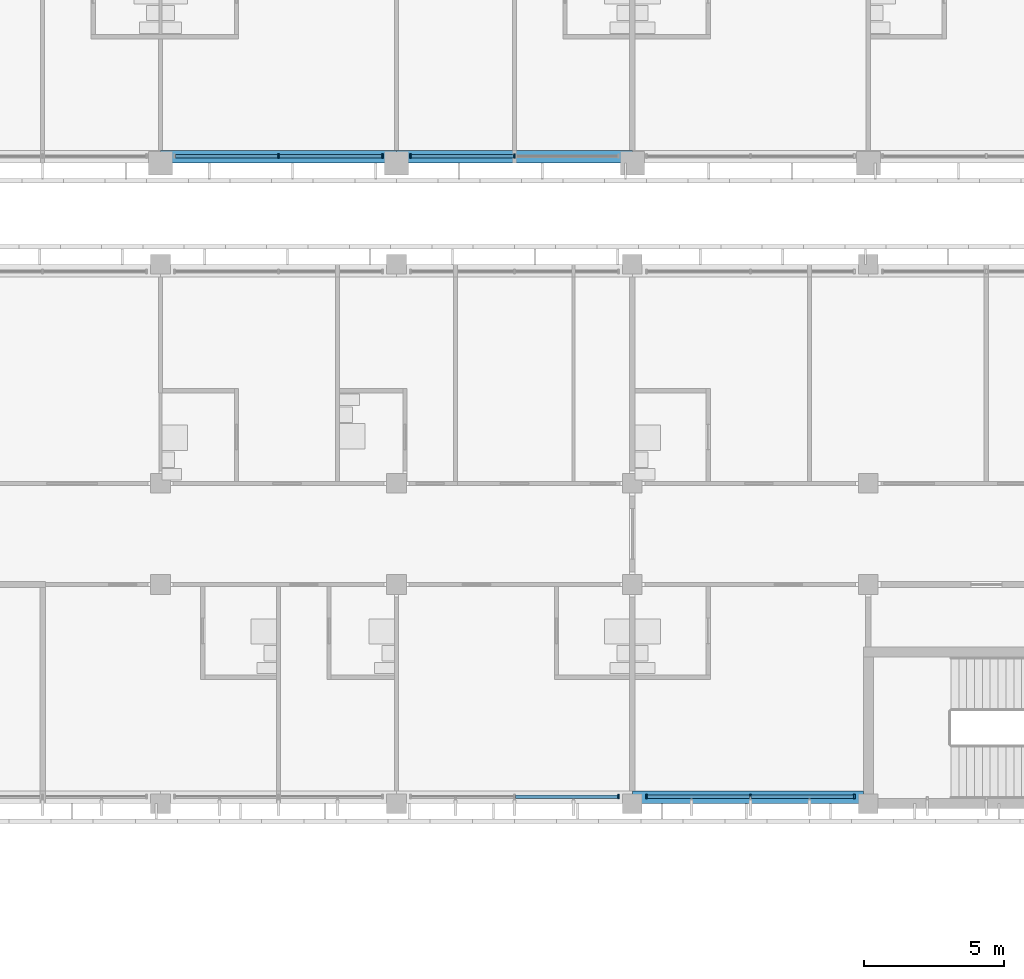
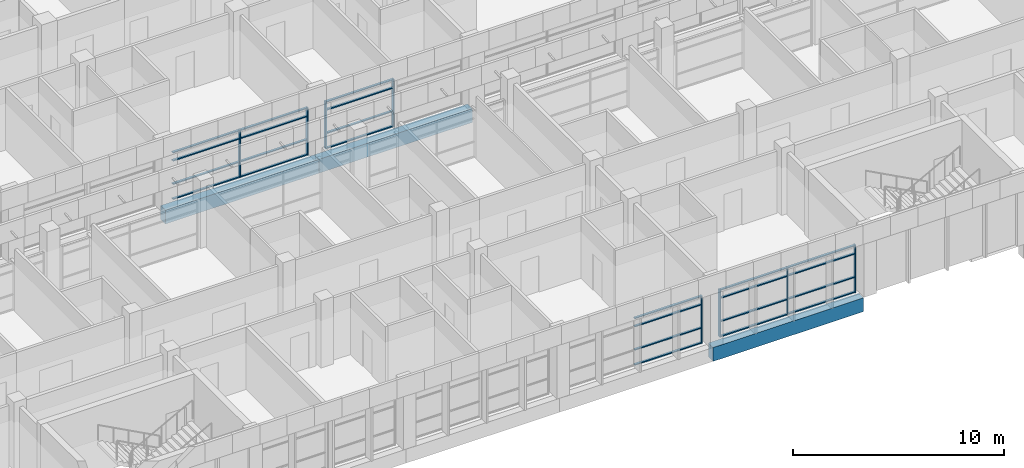
# One storey, part 7 of 74: 32 members, 3 beams, 4 elements without a shape of their own.
"""IFC4 building model written with IfcOpenShell, lengths in metres."""

from ifc_helpers import new_model, si_unit, direction, frame, origin, origin_2d, place, context, subcontext, project, spatial, rectangle, extrude, material, material_profile, profile_set, type_object, element, aggregate, save


model = new_model("IFC4")

# Units and contexts
model_context = context("Model", 3, precision=1e-05, world=origin(), true_north=direction((0.0, 1.0)))
body_context = subcontext(model_context, "Body", "Model", "MODEL_VIEW")
ifc_project = project(units=[si_unit("LENGTHUNIT", "METRE"), si_unit("AREAUNIT", "SQUARE_METRE"), si_unit("VOLUMEUNIT", "CUBIC_METRE"), si_unit("PLANEANGLEUNIT", "RADIAN"), si_unit("MASSUNIT", "GRAM", prefix="KILO")], contexts=[model_context])

# Site, building, storey
site_placement = place(None, origin())
site = spatial("IfcSite", under=ifc_project, at=site_placement, CompositionType="ELEMENT")
building_placement = place(site_placement, origin())
building = spatial("IfcBuilding", under=site, at=building_placement, Name="Bougainvillea Quay General Hospital", CompositionType="ELEMENT")
storey_placement = place(building_placement, frame((0.0, 0.0, 21.0)))
storey = spatial("IfcBuildingStorey", under=building, at=storey_placement, Name="L04", CompositionType="ELEMENT", Elevation=21.0)

# Curtain wall, members
ifc_material_1 = material(Name="Aluminium curtain wall system, powder-coated glazed", Category="aluminium")
curtain_wall_type = type_object("IfcCurtainWallType", Name="Unitised curtain wall CW-3730", PredefinedType="NOTDEFINED", material=ifc_material_1)
curtain_wall_1_placement = place(storey_placement, origin())
curtain_wall_1 = element("IfcCurtainWall", 1, at=curtain_wall_1_placement, inside=storey, type_object=curtain_wall_type, Name="CW-4200 02", PredefinedType="NOTDEFINED")
ifc_material_2 = material(Name="Aluminium mullion, powder-coated charcoal", Category="aluminium")
ifc_material_profile_1 = material_profile(ifc_material_2, rectangle(XDim=0.159912109375, YDim=0.06005859375, at=origin_2d()))
ifc_profile_set_1 = profile_set([ifc_material_profile_1], Name="Aluminium mullion, powder-coated charcoal")
member_type_1 = type_object("IfcMemberType", Name="Curtain wall mullion 160x60", PredefinedType="MULLION", material=ifc_profile_set_1)
member_1_placement = place(storey_placement, frame((96.60009765625, 140.64990234375, 0.0), z_axis=(0.0, 0.0, 1.0), x_axis=(0.0, 1.0, 0.0)))
member_1 = element("IfcMember", 2, at=member_1_placement, type_object=member_type_1, Name="CW-4200 mullion 2", PredefinedType="MULLION", context=body_context, shape_type="SweptSolid", body=[
    extrude(rectangle(XDim=0.159912109375, YDim=0.06005859375, at=origin_2d()), origin(), (0.0, 0.0, 1.0), 2.75),
])
member_2_placement = place(storey_placement, frame((100.300048828125, 140.64990234375, 0.0), z_axis=(0.0, 0.0, 1.0), x_axis=(0.0, 1.0, 0.0)))
member_2 = element("IfcMember", 3, at=member_2_placement, type_object=member_type_1, Name="CW-4200 mullion 3", PredefinedType="MULLION", context=body_context, shape_type="SweptSolid", body=[
    extrude(rectangle(XDim=0.159912109375, YDim=0.06005859375, at=origin_2d()), origin(), (0.0, 0.0, 1.0), 2.75),
])

curtain_wall_2_placement = place(storey_placement, origin())
curtain_wall_2 = element("IfcCurtainWall", 4, at=curtain_wall_2_placement, inside=storey, type_object=curtain_wall_type, Name="CW-4200 03", PredefinedType="NOTDEFINED")
member_3_placement = place(storey_placement, frame((101.300048828125, 140.64990234375, 0.0), z_axis=(0.0, 0.0, 1.0), x_axis=(0.0, 1.0, 0.0)))
member_3 = element("IfcMember", 5, at=member_3_placement, type_object=member_type_1, Name="CW-4200 mullion 1", PredefinedType="MULLION", context=body_context, shape_type="SweptSolid", body=[
    extrude(rectangle(XDim=0.159912109375, YDim=0.06005859375, at=origin_2d()), origin(), (0.0, 0.0, 1.0), 2.75),
])
member_4_placement = place(storey_placement, frame((105.0, 140.64990234375, 0.0), z_axis=(0.0, 0.0, 1.0), x_axis=(0.0, 1.0, 0.0)))
member_4 = element("IfcMember", 6, at=member_4_placement, type_object=member_type_1, Name="CW-4200 mullion 2", PredefinedType="MULLION", context=body_context, shape_type="SweptSolid", body=[
    extrude(rectangle(XDim=0.159912109375, YDim=0.06005859375, at=origin_2d()), origin(), (0.0, 0.0, 1.0), 2.75),
])

# Curtain wall, member
curtain_wall_3_placement = place(storey_placement, origin())
curtain_wall_3 = element("IfcCurtainWall", 7, at=curtain_wall_3_placement, inside=storey, type_object=curtain_wall_type, Name="CW-4200 05", PredefinedType="NOTDEFINED")
member_5_placement = place(storey_placement, frame((108.699951171875, 117.85009765625, 0.0), z_axis=(0.0, 0.0, 1.0), x_axis=(0.0, 1.0, 0.0)))
member_5 = element("IfcMember", 8, at=member_5_placement, type_object=member_type_1, Name="CW-4200 mullion 3", PredefinedType="MULLION", context=body_context, shape_type="SweptSolid", body=[
    extrude(rectangle(XDim=0.159912109375, YDim=0.06005859375, at=origin_2d()), origin(), (0.0, 0.0, 1.0), 2.75),
])

# Curtain wall, members
curtain_wall_4_placement = place(storey_placement, origin())
curtain_wall_4 = element("IfcCurtainWall", 9, at=curtain_wall_4_placement, inside=storey, type_object=curtain_wall_type, Name="CW-4200 06", PredefinedType="NOTDEFINED")
member_6_placement = place(storey_placement, frame((109.699951171875, 117.85009765625, 0.0), z_axis=(0.0, 0.0, 1.0), x_axis=(0.0, 1.0, 0.0)))
member_6 = element("IfcMember", 10, at=member_6_placement, type_object=member_type_1, Name="CW-4200 mullion 1", PredefinedType="MULLION", context=body_context, shape_type="SweptSolid", body=[
    extrude(rectangle(XDim=0.159912109375, YDim=0.06005859375, at=origin_2d()), origin(), (0.0, 0.0, 1.0), 2.75),
])
member_7_placement = place(storey_placement, frame((113.39990234375, 117.85009765625, 0.0), z_axis=(0.0, 0.0, 1.0), x_axis=(0.0, 1.0, 0.0)))
member_7 = element("IfcMember", 11, at=member_7_placement, type_object=member_type_1, Name="CW-4200 mullion 2", PredefinedType="MULLION", context=body_context, shape_type="SweptSolid", body=[
    extrude(rectangle(XDim=0.159912109375, YDim=0.06005859375, at=origin_2d()), origin(), (0.0, 0.0, 1.0), 2.75),
])
member_8_placement = place(storey_placement, frame((117.10009765625, 117.85009765625, 0.0), z_axis=(0.0, 0.0, 1.0), x_axis=(0.0, 1.0, 0.0)))
member_8 = element("IfcMember", 12, at=member_8_placement, type_object=member_type_1, Name="CW-4200 mullion 3", PredefinedType="MULLION", context=body_context, shape_type="SweptSolid", body=[
    extrude(rectangle(XDim=0.159912109375, YDim=0.06005859375, at=origin_2d()), origin(), (0.0, 0.0, 1.0), 2.75),
])

# Member
ifc_material_3 = material(Name="Aluminium transom, powder-coated charcoal", Category="aluminium")
ifc_material_profile_2 = material_profile(ifc_material_3, rectangle(XDim=0.1201171875, YDim=0.06005859375, at=origin_2d()))
ifc_profile_set_2 = profile_set([ifc_material_profile_2], Name="Aluminium transom, powder-coated charcoal")
member_type_2 = type_object("IfcMemberType", Name="Curtain wall transom 120x60", PredefinedType="USERDEFINED", material=ifc_profile_set_2)
member_9_placement = place(storey_placement, frame((92.929931640625, 140.64990234375, 0.030029296875), z_axis=(1.0, 0.0, 0.0), x_axis=(0.0, 1.0, 0.0)))
member_9 = element("IfcMember", 13, at=member_9_placement, type_object=member_type_2, Name="CW-4200 transom 1.1", ObjectType="TRANSOM", PredefinedType="USERDEFINED", context=body_context, shape_type="SweptSolid", body=[
    extrude(rectangle(XDim=0.1201171875, YDim=0.06005859375, at=origin_2d()), origin(), (0.0, 0.0, 1.0), 3.64013671875),
])

member_10_placement = place(storey_placement, frame((92.929931640625, 140.64990234375, 0.89990234375), z_axis=(1.0, 0.0, 0.0), x_axis=(0.0, 1.0, 0.0)))
member_10 = element("IfcMember", 14, at=member_10_placement, type_object=member_type_2, Name="CW-4200 transom 1.2", ObjectType="TRANSOM", PredefinedType="USERDEFINED", context=body_context, shape_type="SweptSolid", body=[
    extrude(rectangle(XDim=0.1201171875, YDim=0.06005859375, at=origin_2d()), origin(), (0.0, 0.0, 1.0), 3.64013671875),
])

member_11_placement = place(storey_placement, frame((92.929931640625, 140.64990234375, 2.25), z_axis=(1.0, 0.0, 0.0), x_axis=(0.0, 1.0, 0.0)))
member_11 = element("IfcMember", 15, at=member_11_placement, type_object=member_type_2, Name="CW-4200 transom 1.3", ObjectType="TRANSOM", PredefinedType="USERDEFINED", context=body_context, shape_type="SweptSolid", body=[
    extrude(rectangle(XDim=0.1201171875, YDim=0.06005859375, at=origin_2d()), origin(), (0.0, 0.0, 1.0), 3.64013671875),
])

member_12_placement = place(storey_placement, frame((92.929931640625, 140.64990234375, 2.719970703125), z_axis=(1.0, 0.0, 0.0), x_axis=(0.0, 1.0, 0.0)))
member_12 = element("IfcMember", 16, at=member_12_placement, type_object=member_type_2, Name="CW-4200 transom 1.4", ObjectType="TRANSOM", PredefinedType="USERDEFINED", context=body_context, shape_type="SweptSolid", body=[
    extrude(rectangle(XDim=0.1201171875, YDim=0.06005859375, at=origin_2d()), origin(), (0.0, 0.0, 1.0), 3.64013671875),
])

member_13_placement = place(storey_placement, frame((96.6298828125, 140.64990234375, 0.030029296875), z_axis=(1.0, 0.0, 0.0), x_axis=(0.0, 1.0, 0.0)))
member_13 = element("IfcMember", 17, at=member_13_placement, type_object=member_type_2, Name="CW-4200 transom 2.1", ObjectType="TRANSOM", PredefinedType="USERDEFINED", context=body_context, shape_type="SweptSolid", body=[
    extrude(rectangle(XDim=0.1201171875, YDim=0.06005859375, at=origin_2d()), origin(), (0.0, 0.0, 1.0), 3.64013671875),
])

member_14_placement = place(storey_placement, frame((96.6298828125, 140.64990234375, 0.89990234375), z_axis=(1.0, 0.0, 0.0), x_axis=(0.0, 1.0, 0.0)))
member_14 = element("IfcMember", 18, at=member_14_placement, type_object=member_type_2, Name="CW-4200 transom 2.2", ObjectType="TRANSOM", PredefinedType="USERDEFINED", context=body_context, shape_type="SweptSolid", body=[
    extrude(rectangle(XDim=0.1201171875, YDim=0.06005859375, at=origin_2d()), origin(), (0.0, 0.0, 1.0), 3.64013671875),
])

member_15_placement = place(storey_placement, frame((96.6298828125, 140.64990234375, 2.25), z_axis=(1.0, 0.0, 0.0), x_axis=(0.0, 1.0, 0.0)))
member_15 = element("IfcMember", 19, at=member_15_placement, type_object=member_type_2, Name="CW-4200 transom 2.3", ObjectType="TRANSOM", PredefinedType="USERDEFINED", context=body_context, shape_type="SweptSolid", body=[
    extrude(rectangle(XDim=0.1201171875, YDim=0.06005859375, at=origin_2d()), origin(), (0.0, 0.0, 1.0), 3.64013671875),
])

member_16_placement = place(storey_placement, frame((96.6298828125, 140.64990234375, 2.719970703125), z_axis=(1.0, 0.0, 0.0), x_axis=(0.0, 1.0, 0.0)))
member_16 = element("IfcMember", 20, at=member_16_placement, type_object=member_type_2, Name="CW-4200 transom 2.4", ObjectType="TRANSOM", PredefinedType="USERDEFINED", context=body_context, shape_type="SweptSolid", body=[
    extrude(rectangle(XDim=0.1201171875, YDim=0.06005859375, at=origin_2d()), origin(), (0.0, 0.0, 1.0), 3.64013671875),
])

aggregate(curtain_wall_1, [member_1, member_2, member_9, member_10, member_11, member_12, member_13, member_14, member_15, member_16])

member_17_placement = place(storey_placement, frame((101.330078125, 140.64990234375, 0.030029296875), z_axis=(1.0, 0.0, 0.0), x_axis=(0.0, 1.0, 0.0)))
member_17 = element("IfcMember", 21, at=member_17_placement, type_object=member_type_2, Name="CW-4200 transom 1.1", ObjectType="TRANSOM", PredefinedType="USERDEFINED", context=body_context, shape_type="SweptSolid", body=[
    extrude(rectangle(XDim=0.1201171875, YDim=0.06005859375, at=origin_2d()), origin(), (0.0, 0.0, 1.0), 3.639892578125),
])

member_18_placement = place(storey_placement, frame((101.330078125, 140.64990234375, 0.89990234375), z_axis=(1.0, 0.0, 0.0), x_axis=(0.0, 1.0, 0.0)))
member_18 = element("IfcMember", 22, at=member_18_placement, type_object=member_type_2, Name="CW-4200 transom 1.2", ObjectType="TRANSOM", PredefinedType="USERDEFINED", context=body_context, shape_type="SweptSolid", body=[
    extrude(rectangle(XDim=0.1201171875, YDim=0.06005859375, at=origin_2d()), origin(), (0.0, 0.0, 1.0), 3.639892578125),
])

member_19_placement = place(storey_placement, frame((101.330078125, 140.64990234375, 2.25), z_axis=(1.0, 0.0, 0.0), x_axis=(0.0, 1.0, 0.0)))
member_19 = element("IfcMember", 23, at=member_19_placement, type_object=member_type_2, Name="CW-4200 transom 1.3", ObjectType="TRANSOM", PredefinedType="USERDEFINED", context=body_context, shape_type="SweptSolid", body=[
    extrude(rectangle(XDim=0.1201171875, YDim=0.06005859375, at=origin_2d()), origin(), (0.0, 0.0, 1.0), 3.639892578125),
])

member_20_placement = place(storey_placement, frame((101.330078125, 140.64990234375, 2.719970703125), z_axis=(1.0, 0.0, 0.0), x_axis=(0.0, 1.0, 0.0)))
member_20 = element("IfcMember", 24, at=member_20_placement, type_object=member_type_2, Name="CW-4200 transom 1.4", ObjectType="TRANSOM", PredefinedType="USERDEFINED", context=body_context, shape_type="SweptSolid", body=[
    extrude(rectangle(XDim=0.1201171875, YDim=0.06005859375, at=origin_2d()), origin(), (0.0, 0.0, 1.0), 3.639892578125),
])

aggregate(curtain_wall_2, [member_3, member_4, member_17, member_18, member_19, member_20])

member_21_placement = place(storey_placement, frame((105.030029296875, 117.85009765625, 0.030029296875), z_axis=(1.0, 0.0, 0.0), x_axis=(0.0, 1.0, 0.0)))
member_21 = element("IfcMember", 25, at=member_21_placement, type_object=member_type_2, Name="CW-4200 transom 2.1", ObjectType="TRANSOM", PredefinedType="USERDEFINED", context=body_context, shape_type="SweptSolid", body=[
    extrude(rectangle(XDim=0.1201171875, YDim=0.06005859375, at=origin_2d()), origin(), (0.0, 0.0, 1.0), 3.639892578125),
])

member_22_placement = place(storey_placement, frame((105.030029296875, 117.85009765625, 0.89990234375), z_axis=(1.0, 0.0, 0.0), x_axis=(0.0, 1.0, 0.0)))
member_22 = element("IfcMember", 26, at=member_22_placement, type_object=member_type_2, Name="CW-4200 transom 2.2", ObjectType="TRANSOM", PredefinedType="USERDEFINED", context=body_context, shape_type="SweptSolid", body=[
    extrude(rectangle(XDim=0.1201171875, YDim=0.06005859375, at=origin_2d()), origin(), (0.0, 0.0, 1.0), 3.639892578125),
])

member_23_placement = place(storey_placement, frame((105.030029296875, 117.85009765625, 2.25), z_axis=(1.0, 0.0, 0.0), x_axis=(0.0, 1.0, 0.0)))
member_23 = element("IfcMember", 27, at=member_23_placement, type_object=member_type_2, Name="CW-4200 transom 2.3", ObjectType="TRANSOM", PredefinedType="USERDEFINED", context=body_context, shape_type="SweptSolid", body=[
    extrude(rectangle(XDim=0.1201171875, YDim=0.06005859375, at=origin_2d()), origin(), (0.0, 0.0, 1.0), 3.639892578125),
])

member_24_placement = place(storey_placement, frame((105.030029296875, 117.85009765625, 2.719970703125), z_axis=(1.0, 0.0, 0.0), x_axis=(0.0, 1.0, 0.0)))
member_24 = element("IfcMember", 28, at=member_24_placement, type_object=member_type_2, Name="CW-4200 transom 2.4", ObjectType="TRANSOM", PredefinedType="USERDEFINED", context=body_context, shape_type="SweptSolid", body=[
    extrude(rectangle(XDim=0.1201171875, YDim=0.06005859375, at=origin_2d()), origin(), (0.0, 0.0, 1.0), 3.639892578125),
])

aggregate(curtain_wall_3, [member_5, member_21, member_22, member_23, member_24])

member_25_placement = place(storey_placement, frame((109.72998046875, 117.85009765625, 0.030029296875), z_axis=(1.0, 0.0, 0.0), x_axis=(0.0, 1.0, 0.0)))
member_25 = element("IfcMember", 29, at=member_25_placement, type_object=member_type_2, Name="CW-4200 transom 1.1", ObjectType="TRANSOM", PredefinedType="USERDEFINED", context=body_context, shape_type="SweptSolid", body=[
    extrude(rectangle(XDim=0.1201171875, YDim=0.06005859375, at=origin_2d()), origin(), (0.0, 0.0, 1.0), 3.64013671875),
])

member_26_placement = place(storey_placement, frame((109.72998046875, 117.85009765625, 0.89990234375), z_axis=(1.0, 0.0, 0.0), x_axis=(0.0, 1.0, 0.0)))
member_26 = element("IfcMember", 30, at=member_26_placement, type_object=member_type_2, Name="CW-4200 transom 1.2", ObjectType="TRANSOM", PredefinedType="USERDEFINED", context=body_context, shape_type="SweptSolid", body=[
    extrude(rectangle(XDim=0.1201171875, YDim=0.06005859375, at=origin_2d()), origin(), (0.0, 0.0, 1.0), 3.64013671875),
])

member_27_placement = place(storey_placement, frame((109.72998046875, 117.85009765625, 2.25), z_axis=(1.0, 0.0, 0.0), x_axis=(0.0, 1.0, 0.0)))
member_27 = element("IfcMember", 31, at=member_27_placement, type_object=member_type_2, Name="CW-4200 transom 1.3", ObjectType="TRANSOM", PredefinedType="USERDEFINED", context=body_context, shape_type="SweptSolid", body=[
    extrude(rectangle(XDim=0.1201171875, YDim=0.06005859375, at=origin_2d()), origin(), (0.0, 0.0, 1.0), 3.64013671875),
])

member_28_placement = place(storey_placement, frame((109.72998046875, 117.85009765625, 2.719970703125), z_axis=(1.0, 0.0, 0.0), x_axis=(0.0, 1.0, 0.0)))
member_28 = element("IfcMember", 32, at=member_28_placement, type_object=member_type_2, Name="CW-4200 transom 1.4", ObjectType="TRANSOM", PredefinedType="USERDEFINED", context=body_context, shape_type="SweptSolid", body=[
    extrude(rectangle(XDim=0.1201171875, YDim=0.06005859375, at=origin_2d()), origin(), (0.0, 0.0, 1.0), 3.64013671875),
])

member_29_placement = place(storey_placement, frame((113.429931640625, 117.85009765625, 0.030029296875), z_axis=(1.0, 0.0, 0.0), x_axis=(0.0, 1.0, 0.0)))
member_29 = element("IfcMember", 33, at=member_29_placement, type_object=member_type_2, Name="CW-4200 transom 2.1", ObjectType="TRANSOM", PredefinedType="USERDEFINED", context=body_context, shape_type="SweptSolid", body=[
    extrude(rectangle(XDim=0.1201171875, YDim=0.06005859375, at=origin_2d()), origin(), (0.0, 0.0, 1.0), 3.64013671875),
])

member_30_placement = place(storey_placement, frame((113.429931640625, 117.85009765625, 0.89990234375), z_axis=(1.0, 0.0, 0.0), x_axis=(0.0, 1.0, 0.0)))
member_30 = element("IfcMember", 34, at=member_30_placement, type_object=member_type_2, Name="CW-4200 transom 2.2", ObjectType="TRANSOM", PredefinedType="USERDEFINED", context=body_context, shape_type="SweptSolid", body=[
    extrude(rectangle(XDim=0.1201171875, YDim=0.06005859375, at=origin_2d()), origin(), (0.0, 0.0, 1.0), 3.64013671875),
])

member_31_placement = place(storey_placement, frame((113.429931640625, 117.85009765625, 2.25), z_axis=(1.0, 0.0, 0.0), x_axis=(0.0, 1.0, 0.0)))
member_31 = element("IfcMember", 35, at=member_31_placement, type_object=member_type_2, Name="CW-4200 transom 2.3", ObjectType="TRANSOM", PredefinedType="USERDEFINED", context=body_context, shape_type="SweptSolid", body=[
    extrude(rectangle(XDim=0.1201171875, YDim=0.06005859375, at=origin_2d()), origin(), (0.0, 0.0, 1.0), 3.64013671875),
])

member_32_placement = place(storey_placement, frame((113.429931640625, 117.85009765625, 2.719970703125), z_axis=(1.0, 0.0, 0.0), x_axis=(0.0, 1.0, 0.0)))
member_32 = element("IfcMember", 36, at=member_32_placement, type_object=member_type_2, Name="CW-4200 transom 2.4", ObjectType="TRANSOM", PredefinedType="USERDEFINED", context=body_context, shape_type="SweptSolid", body=[
    extrude(rectangle(XDim=0.1201171875, YDim=0.06005859375, at=origin_2d()), origin(), (0.0, 0.0, 1.0), 3.64013671875),
])

aggregate(curtain_wall_4, [member_6, member_7, member_8, member_25, member_26, member_27, member_28, member_29, member_30, member_31, member_32])

# Beams
ifc_material_4 = material(Name="Concrete C40", Category="concrete")
ifc_material_profile_3 = material_profile(ifc_material_4, rectangle(XDim=0.449951171875, YDim=0.800048828125, at=origin_2d()))
ifc_profile_set_3 = profile_set([ifc_material_profile_3], Name="Concrete C40")
beam_type = type_object("IfcBeamType", Name="RC BEAM 450x800 C40", PredefinedType="BEAM", material=ifc_profile_set_3)
beam_1_placement = place(storey_placement, frame((92.39990234375, 140.625, -0.699951171875), z_axis=(1.0, 0.0, 0.0), x_axis=(0.0, 1.0, 0.0)))
element("IfcBeam", 37, at=beam_1_placement, inside=storey, type_object=beam_type, Name="Edge beam L04", PredefinedType="BEAM", context=body_context, shape_type="SweptSolid", body=[
    extrude(rectangle(XDim=0.449951171875, YDim=0.800048828125, at=origin_2d()), origin(), (0.0, 0.0, 1.0), 8.400146484375),
])
beam_2_placement = place(storey_placement, frame((100.800048828125, 140.625, -0.699951171875), z_axis=(1.0, 0.0, 0.0), x_axis=(0.0, 1.0, 0.0)))
element("IfcBeam", 38, at=beam_2_placement, inside=storey, type_object=beam_type, Name="Edge beam L04", PredefinedType="BEAM", context=body_context, shape_type="SweptSolid", body=[
    extrude(rectangle(XDim=0.449951171875, YDim=0.800048828125, at=origin_2d()), origin(), (0.0, 0.0, 1.0), 8.39990234375),
])
beam_3_placement = place(storey_placement, frame((109.199951171875, 117.824951171875, -0.699951171875), z_axis=(1.0, 0.0, 0.0), x_axis=(0.0, 1.0, 0.0)))
element("IfcBeam", 39, at=beam_3_placement, inside=storey, type_object=beam_type, Name="Edge beam L04", PredefinedType="BEAM", context=body_context, shape_type="SweptSolid", body=[
    extrude(rectangle(XDim=0.449951171875, YDim=0.800048828125, at=origin_2d()), origin(), (0.0, 0.0, 1.0), 8.22509765625),
])

save(model, "model.ifc")
